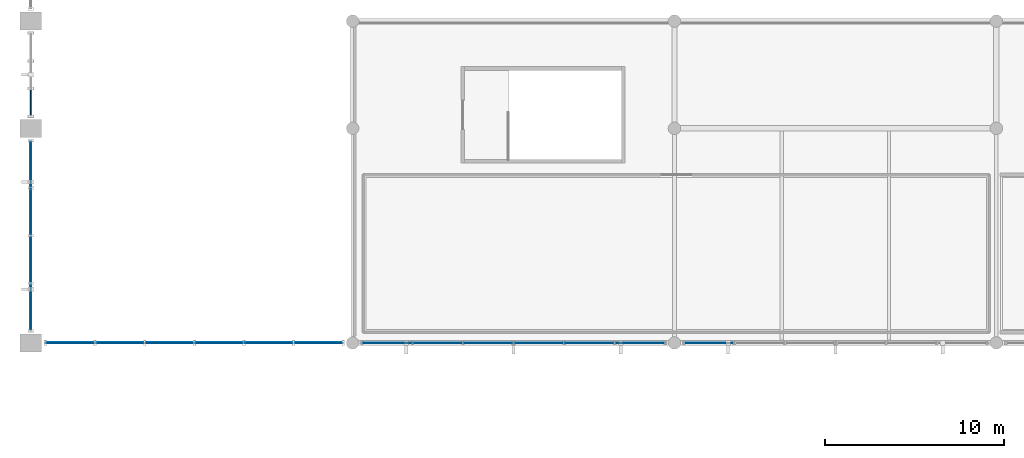
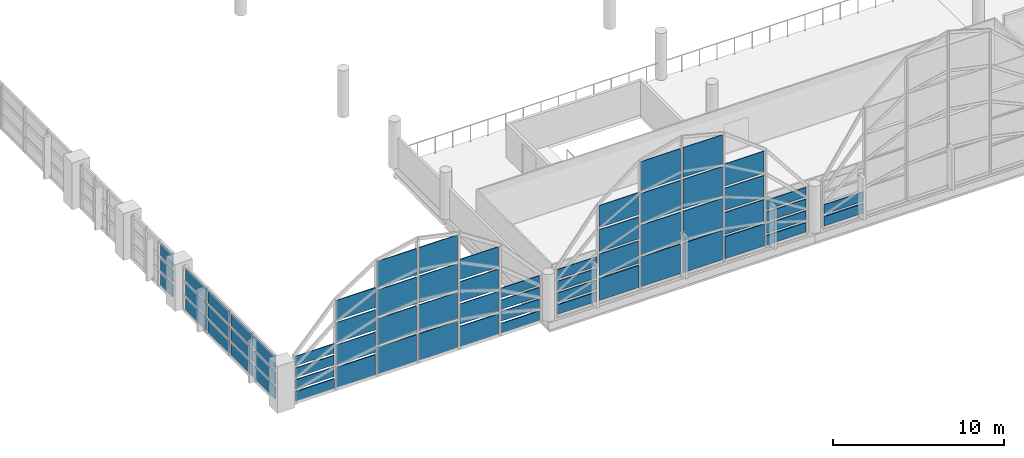
# One storey, part 83 of 116: 65 plates, 5 elements without a shape of their own.
"""IFC4 building model written with IfcOpenShell, lengths in metres."""

from ifc_helpers import new_model, si_unit, direction, frame, origin, origin_2d, place, context, subcontext, project, spatial, rectangle, extrude, material, layer, layer_set, type_object, element, aggregate, save


model = new_model("IFC4")

# Units and contexts
model_context = context("Model", 3, precision=1e-05, world=origin(), true_north=direction((0.0, 1.0)))
body_context = subcontext(model_context, "Body", "Model", "MODEL_VIEW")
ifc_project = project(units=[si_unit("LENGTHUNIT", "METRE"), si_unit("AREAUNIT", "SQUARE_METRE"), si_unit("VOLUMEUNIT", "CUBIC_METRE"), si_unit("PLANEANGLEUNIT", "RADIAN"), si_unit("MASSUNIT", "GRAM", prefix="KILO")], contexts=[model_context])

# Site, building, storey
site_placement = place(None, origin())
site = spatial("IfcSite", under=ifc_project, at=site_placement, CompositionType="ELEMENT")
building_placement = place(site_placement, origin())
building = spatial("IfcBuilding", under=site, at=building_placement, Name="Chuanluo Vaults Station", CompositionType="ELEMENT")
storey_placement = place(building_placement, frame((0.0, 0.0, 10.800048828125)))
storey = spatial("IfcBuildingStorey", under=building, at=storey_placement, Name="L02", CompositionType="ELEMENT", Elevation=10.800048828125)

# Curtain wall, plate
ifc_material_1 = material(Name="Anodised aluminium 6063-T6", Category="aluminium")
curtain_wall_type_1 = type_object("IfcCurtainWallType", Name="CW-SYS-01", PredefinedType="NOTDEFINED", material=ifc_material_1)
curtain_wall_1_placement = place(storey_placement, origin())
curtain_wall_1 = element("IfcCurtainWall", 1, at=curtain_wall_1_placement, inside=storey, type_object=curtain_wall_type_1, Name="Train shed west clerestory CW 30 part 1", PredefinedType="NOTDEFINED")
ifc_material_2 = material(Name="Ceramic-fritted spandrel glass", Category="glass")
ifc_layer_1 = layer(ifc_material_2, 0.06396484375)
ifc_layer_set_1 = layer_set([ifc_layer_1], Name="Ceramic-fritted spandrel glass")
plate_type_1 = type_object("IfcPlateType", Name="CWP-SPN-42", PredefinedType="SHEET", material=ifc_layer_set_1)
plate_1_placement = place(storey_placement, frame((0.0, 31.449951171875, 0.080078125), z_axis=(0.0, 0.0, 1.0), x_axis=(0.0, 1.0, 0.0)))
plate_1 = element("IfcPlate", 2, at=plate_1_placement, type_object=plate_type_1, Name="Train shed west clerestory CW 30 part 1 glazed panel 1.1", PredefinedType="SHEET", context=body_context, shape_type="SweptSolid", body=[
    extrude(rectangle(XDim=1.389892578125, YDim=0.06396484375, at=origin_2d()), origin(), (0.0, 0.0, 1.0), 0.889892578125),
])

# Curtain wall, plates
ifc_material_3 = material(Name="Anodised aluminium 6063-T6", Category="aluminium")
curtain_wall_type_2 = type_object("IfcCurtainWallType", Name="CW-SYS-02", PredefinedType="NOTDEFINED", material=ifc_material_3)
curtain_wall_2_placement = place(storey_placement, origin())
curtain_wall_2 = element("IfcCurtainWall", 3, at=curtain_wall_2_placement, inside=storey, type_object=curtain_wall_type_2, Name="Vault V1 south arched curtain wall", PredefinedType="NOTDEFINED")
ifc_material_4 = material(Name="Ceramic-fritted spandrel glass", Category="glass")
ifc_layer_2 = layer(ifc_material_4, 0.070068359375)
ifc_layer_set_2 = layer_set([ifc_layer_2], Name="Ceramic-fritted spandrel glass")
plate_type_2 = type_object("IfcPlateType", Name="CWP-SPN-50", PredefinedType="SHEET", material=ifc_layer_set_2)
plate_2_placement = place(storey_placement, frame((16.08740234375, 18.0, 0.080078125), z_axis=(0.0, 0.0, 1.0), x_axis=(-1.0, 0.0, 0.0)))
plate_2 = element("IfcPlate", 4, at=plate_2_placement, type_object=plate_type_2, Name="Vault V1 south arched curtain wall glazed panel 1.1", PredefinedType="SHEET", context=body_context, shape_type="SweptSolid", body=[
    extrude(rectangle(XDim=2.614990234375, YDim=0.070068359375, at=origin_2d()), origin(), (0.0, 0.0, 1.0), 0.677490234375),
])
plate_3_placement = place(storey_placement, frame((13.3125, 18.0, 0.080078125), z_axis=(0.0, 0.0, 1.0), x_axis=(-1.0, 0.0, 0.0)))
plate_3 = element("IfcPlate", 5, at=plate_3_placement, type_object=plate_type_2, Name="Vault V1 south arched curtain wall glazed panel 2.1", PredefinedType="SHEET", context=body_context, shape_type="SweptSolid", body=[
    extrude(rectangle(XDim=2.614990234375, YDim=0.070068359375, at=origin_2d()), origin(), (0.0, 0.0, 1.0), 1.4345703125),
])
plate_4_placement = place(storey_placement, frame((10.53759765625, 18.0, 0.079833984375), z_axis=(0.0, 0.0, 1.0), x_axis=(-1.0, 0.0, 0.0)))
plate_4 = element("IfcPlate", 6, at=plate_4_placement, type_object=plate_type_2, Name="Vault V1 south arched curtain wall glazed panel 3.1", PredefinedType="SHEET", context=body_context, shape_type="SweptSolid", body=[
    extrude(rectangle(XDim=2.614990234375, YDim=0.070068359375, at=origin_2d()), origin(), (0.0, 0.0, 1.0), 1.888671875),
])
plate_5_placement = place(storey_placement, frame((7.762451171875, 18.0, 0.079833984375), z_axis=(0.0, 0.0, 1.0), x_axis=(-1.0, 0.0, 0.0)))
plate_5 = element("IfcPlate", 7, at=plate_5_placement, type_object=plate_type_2, Name="Vault V1 south arched curtain wall glazed panel 4.1", PredefinedType="SHEET", context=body_context, shape_type="SweptSolid", body=[
    extrude(rectangle(XDim=2.614990234375, YDim=0.070068359375, at=origin_2d()), origin(), (0.0, 0.0, 1.0), 1.888671875),
])
plate_6_placement = place(storey_placement, frame((4.987548828125, 18.0, 0.080078125), z_axis=(0.0, 0.0, 1.0), x_axis=(-1.0, 0.0, 0.0)))
plate_6 = element("IfcPlate", 8, at=plate_6_placement, type_object=plate_type_2, Name="Vault V1 south arched curtain wall glazed panel 5.1", PredefinedType="SHEET", context=body_context, shape_type="SweptSolid", body=[
    extrude(rectangle(XDim=2.614990234375, YDim=0.070068359375, at=origin_2d()), origin(), (0.0, 0.0, 1.0), 1.4345703125),
])
plate_7_placement = place(storey_placement, frame((2.21240234375, 18.0, 0.080078125), z_axis=(0.0, 0.0, 1.0), x_axis=(-1.0, 0.0, 0.0)))
plate_7 = element("IfcPlate", 9, at=plate_7_placement, type_object=plate_type_2, Name="Vault V1 south arched curtain wall glazed panel 6.1", PredefinedType="SHEET", context=body_context, shape_type="SweptSolid", body=[
    extrude(rectangle(XDim=2.614990234375, YDim=0.070068359375, at=origin_2d()), origin(), (0.0, 0.0, 1.0), 0.677490234375),
])

ifc_material_5 = material(Name="Anodised aluminium 6063-T6", Category="aluminium")
curtain_wall_type_3 = type_object("IfcCurtainWallType", Name="CW-SYS-04", PredefinedType="NOTDEFINED", material=ifc_material_5)
curtain_wall_3_placement = place(storey_placement, origin())
curtain_wall_3 = element("IfcCurtainWall", 10, at=curtain_wall_3_placement, inside=storey, type_object=curtain_wall_type_3, Name="Vault V2 south arched curtain wall", PredefinedType="NOTDEFINED")
plate_8_placement = place(storey_placement, frame((34.0625, 18.0, 0.080078125), z_axis=(0.0, 0.0, 1.0), x_axis=(-1.0, 0.0, 0.0)))
plate_8 = element("IfcPlate", 11, at=plate_8_placement, type_object=plate_type_2, Name="Vault V2 south arched curtain wall glazed panel 1.1", PredefinedType="SHEET", context=body_context, shape_type="SweptSolid", body=[
    extrude(rectangle(XDim=2.6650390625, YDim=0.070068359375, at=origin_2d()), origin(), (0.0, 0.0, 1.0), 0.677490234375),
])
plate_9_placement = place(storey_placement, frame((31.237548828125, 18.0, 0.080078125), z_axis=(0.0, 0.0, 1.0), x_axis=(-1.0, 0.0, 0.0)))
plate_9 = element("IfcPlate", 12, at=plate_9_placement, type_object=plate_type_2, Name="Vault V2 south arched curtain wall glazed panel 2.1", PredefinedType="SHEET", context=body_context, shape_type="SweptSolid", body=[
    extrude(rectangle(XDim=2.6650390625, YDim=0.070068359375, at=origin_2d()), origin(), (0.0, 0.0, 1.0), 1.5732421875),
])
plate_10_placement = place(storey_placement, frame((28.41259765625, 18.0, 0.079833984375), z_axis=(0.0, 0.0, 1.0), x_axis=(-1.0, 0.0, 0.0)))
plate_10 = element("IfcPlate", 13, at=plate_10_placement, type_object=plate_type_2, Name="Vault V2 south arched curtain wall glazed panel 3.1", PredefinedType="SHEET", context=body_context, shape_type="SweptSolid", body=[
    extrude(rectangle(XDim=2.6650390625, YDim=0.070068359375, at=origin_2d()), origin(), (0.0, 0.0, 1.0), 2.11083984375),
])
plate_11_placement = place(storey_placement, frame((25.58740234375, 18.0, 0.079833984375), z_axis=(0.0, 0.0, 1.0), x_axis=(-1.0, 0.0, 0.0)))
plate_11 = element("IfcPlate", 14, at=plate_11_placement, type_object=plate_type_2, Name="Vault V2 south arched curtain wall glazed panel 4.1", PredefinedType="SHEET", context=body_context, shape_type="SweptSolid", body=[
    extrude(rectangle(XDim=2.6650390625, YDim=0.070068359375, at=origin_2d()), origin(), (0.0, 0.0, 1.0), 2.11083984375),
])
plate_12_placement = place(storey_placement, frame((22.762451171875, 18.0, 0.080078125), z_axis=(0.0, 0.0, 1.0), x_axis=(-1.0, 0.0, 0.0)))
plate_12 = element("IfcPlate", 15, at=plate_12_placement, type_object=plate_type_2, Name="Vault V2 south arched curtain wall glazed panel 5.1", PredefinedType="SHEET", context=body_context, shape_type="SweptSolid", body=[
    extrude(rectangle(XDim=2.6650390625, YDim=0.070068359375, at=origin_2d()), origin(), (0.0, 0.0, 1.0), 1.5732421875),
])
plate_13_placement = place(storey_placement, frame((19.9375, 18.0, 0.080078125), z_axis=(0.0, 0.0, 1.0), x_axis=(-1.0, 0.0, 0.0)))
plate_13 = element("IfcPlate", 16, at=plate_13_placement, type_object=plate_type_2, Name="Vault V2 south arched curtain wall glazed panel 6.1", PredefinedType="SHEET", context=body_context, shape_type="SweptSolid", body=[
    extrude(rectangle(XDim=2.6650390625, YDim=0.070068359375, at=origin_2d()), origin(), (0.0, 0.0, 1.0), 0.677490234375),
])

# Curtain wall, plate
ifc_material_6 = material(Name="Anodised aluminium 6063-T6", Category="aluminium")
curtain_wall_type_4 = type_object("IfcCurtainWallType", Name="CW-SYS-08", PredefinedType="NOTDEFINED", material=ifc_material_6)
curtain_wall_4_placement = place(storey_placement, origin())
curtain_wall_4 = element("IfcCurtainWall", 17, at=curtain_wall_4_placement, inside=storey, type_object=curtain_wall_type_4, Name="Vault V3 south arched curtain wall", PredefinedType="NOTDEFINED")
plate_14_placement = place(storey_placement, frame((37.9375, 18.0, 0.080078125), z_axis=(0.0, 0.0, 1.0), x_axis=(-1.0, 0.0, 0.0)))
plate_14 = element("IfcPlate", 18, at=plate_14_placement, type_object=plate_type_2, Name="Vault V3 south arched curtain wall glazed panel 6.1", PredefinedType="SHEET", context=body_context, shape_type="SweptSolid", body=[
    extrude(rectangle(XDim=2.6650390625, YDim=0.070068359375, at=origin_2d()), origin(), (0.0, 0.0, 1.0), 0.677490234375),
])

# Curtain wall, plates
ifc_material_7 = material(Name="Anodised aluminium 6063-T6", Category="aluminium")
curtain_wall_type_5 = type_object("IfcCurtainWallType", Name="CW-SYS-26", PredefinedType="NOTDEFINED", material=ifc_material_7)
curtain_wall_5_placement = place(storey_placement, origin())
curtain_wall_5 = element("IfcCurtainWall", 19, at=curtain_wall_5_placement, inside=storey, type_object=curtain_wall_type_5, Name="Train shed west clerestory CW 18", PredefinedType="NOTDEFINED")
plate_15_placement = place(storey_placement, frame((0.0, 20.00634765625, 0.080078125), z_axis=(0.0, 0.0, 1.0), x_axis=(0.0, 1.0, 0.0)))
plate_15 = element("IfcPlate", 20, at=plate_15_placement, type_object=plate_type_2, Name="Train shed west clerestory CW 18 glazed panel 1.1", PredefinedType="SHEET", context=body_context, shape_type="SweptSolid", body=[
    extrude(rectangle(XDim=2.50244140625, YDim=0.070068359375, at=origin_2d()), origin(), (0.0, 0.0, 1.0), 0.889892578125),
])
plate_16_placement = place(storey_placement, frame((0.0, 22.668701171875, 0.080078125), z_axis=(0.0, 0.0, 1.0), x_axis=(0.0, 1.0, 0.0)))
plate_16 = element("IfcPlate", 21, at=plate_16_placement, type_object=plate_type_2, Name="Train shed west clerestory CW 18 glazed panel 2.1", PredefinedType="SHEET", context=body_context, shape_type="SweptSolid", body=[
    extrude(rectangle(XDim=2.50244140625, YDim=0.070068359375, at=origin_2d()), origin(), (0.0, 0.0, 1.0), 0.889892578125),
])
plate_17_placement = place(storey_placement, frame((0.0, 25.331298828125, 0.080078125), z_axis=(0.0, 0.0, 1.0), x_axis=(0.0, 1.0, 0.0)))
plate_17 = element("IfcPlate", 22, at=plate_17_placement, type_object=plate_type_2, Name="Train shed west clerestory CW 18 glazed panel 3.1", PredefinedType="SHEET", context=body_context, shape_type="SweptSolid", body=[
    extrude(rectangle(XDim=2.50244140625, YDim=0.070068359375, at=origin_2d()), origin(), (0.0, 0.0, 1.0), 0.889892578125),
])
plate_18_placement = place(storey_placement, frame((0.0, 27.99365234375, 0.080078125), z_axis=(0.0, 0.0, 1.0), x_axis=(0.0, 1.0, 0.0)))
plate_18 = element("IfcPlate", 23, at=plate_18_placement, type_object=plate_type_2, Name="Train shed west clerestory CW 18 glazed panel 4.1", PredefinedType="SHEET", context=body_context, shape_type="SweptSolid", body=[
    extrude(rectangle(XDim=2.50244140625, YDim=0.070068359375, at=origin_2d()), origin(), (0.0, 0.0, 1.0), 0.889892578125),
])

# Plate
ifc_material_8 = material(Name="Double-silver Low-E laminated glass", Category="glass")
ifc_layer_3 = layer(ifc_material_8, 0.0439453125)
ifc_layer_set_3 = layer_set([ifc_layer_3], Name="Double-silver Low-E laminated glass")
plate_type_3 = type_object("IfcPlateType", Name="CWP-VIS-28", PredefinedType="CURTAIN_PANEL", material=ifc_layer_set_3)
plate_19_placement = place(storey_placement, frame((34.0625, 18.0, 0.91748046875), z_axis=(0.0, 0.0, 1.0), x_axis=(-1.0, 0.0, 0.0)))
plate_19 = element("IfcPlate", 24, at=plate_19_placement, type_object=plate_type_3, Name="Vault V2 south arched curtain wall glazed panel 1.2", PredefinedType="CURTAIN_PANEL", context=body_context, shape_type="SweptSolid", body=[
    extrude(rectangle(XDim=2.6650390625, YDim=0.0439453125, at=origin_2d()), origin(), (0.0, 0.0, 1.0), 0.677490234375),
])

plate_20_placement = place(storey_placement, frame((34.0625, 18.0, 1.7548828125), z_axis=(0.0, 0.0, 1.0), x_axis=(-1.0, 0.0, 0.0)))
plate_20 = element("IfcPlate", 25, at=plate_20_placement, type_object=plate_type_3, Name="Vault V2 south arched curtain wall glazed panel 1.3", PredefinedType="CURTAIN_PANEL", context=body_context, shape_type="SweptSolid", body=[
    extrude(rectangle(XDim=2.6650390625, YDim=0.0439453125, at=origin_2d()), origin(), (0.0, 0.0, 1.0), 0.677490234375),
])

plate_21_placement = place(storey_placement, frame((34.0625, 18.0, 2.59228515625), z_axis=(0.0, 0.0, 1.0), x_axis=(-1.0, 0.0, 0.0)))
plate_21 = element("IfcPlate", 26, at=plate_21_placement, type_object=plate_type_3, Name="Vault V2 south arched curtain wall glazed panel 1.4", PredefinedType="CURTAIN_PANEL", context=body_context, shape_type="SweptSolid", body=[
    extrude(rectangle(XDim=2.6650390625, YDim=0.0439453125, at=origin_2d()), origin(), (0.0, 0.0, 1.0), 0.677490234375),
])

plate_22_placement = place(storey_placement, frame((31.237548828125, 18.0, 1.81298828125), z_axis=(0.0, 0.0, 1.0), x_axis=(-1.0, 0.0, 0.0)))
plate_22 = element("IfcPlate", 27, at=plate_22_placement, type_object=plate_type_3, Name="Vault V2 south arched curtain wall glazed panel 2.2", PredefinedType="CURTAIN_PANEL", context=body_context, shape_type="SweptSolid", body=[
    extrude(rectangle(XDim=2.6650390625, YDim=0.0439453125, at=origin_2d()), origin(), (0.0, 0.0, 1.0), 1.573486328125),
])

plate_23_placement = place(storey_placement, frame((31.237548828125, 18.0, 3.546630859375), z_axis=(0.0, 0.0, 1.0), x_axis=(-1.0, 0.0, 0.0)))
plate_23 = element("IfcPlate", 28, at=plate_23_placement, type_object=plate_type_3, Name="Vault V2 south arched curtain wall glazed panel 2.3", PredefinedType="CURTAIN_PANEL", context=body_context, shape_type="SweptSolid", body=[
    extrude(rectangle(XDim=2.6650390625, YDim=0.0439453125, at=origin_2d()), origin(), (0.0, 0.0, 1.0), 1.5732421875),
])

plate_24_placement = place(storey_placement, frame((31.237548828125, 18.0, 5.280029296875), z_axis=(0.0, 0.0, 1.0), x_axis=(-1.0, 0.0, 0.0)))
plate_24 = element("IfcPlate", 29, at=plate_24_placement, type_object=plate_type_3, Name="Vault V2 south arched curtain wall glazed panel 2.4", PredefinedType="CURTAIN_PANEL", context=body_context, shape_type="SweptSolid", body=[
    extrude(rectangle(XDim=2.6650390625, YDim=0.0439453125, at=origin_2d()), origin(), (0.0, 0.0, 1.0), 1.5732421875),
])

plate_25_placement = place(storey_placement, frame((28.41259765625, 18.0, 2.350830078125), z_axis=(0.0, 0.0, 1.0), x_axis=(-1.0, 0.0, 0.0)))
plate_25 = element("IfcPlate", 30, at=plate_25_placement, type_object=plate_type_3, Name="Vault V2 south arched curtain wall glazed panel 3.2", PredefinedType="CURTAIN_PANEL", context=body_context, shape_type="SweptSolid", body=[
    extrude(rectangle(XDim=2.6650390625, YDim=0.0439453125, at=origin_2d()), origin(), (0.0, 0.0, 1.0), 2.11083984375),
])

plate_26_placement = place(storey_placement, frame((28.41259765625, 18.0, 4.62158203125), z_axis=(0.0, 0.0, 1.0), x_axis=(-1.0, 0.0, 0.0)))
plate_26 = element("IfcPlate", 31, at=plate_26_placement, type_object=plate_type_3, Name="Vault V2 south arched curtain wall glazed panel 3.3", PredefinedType="CURTAIN_PANEL", context=body_context, shape_type="SweptSolid", body=[
    extrude(rectangle(XDim=2.6650390625, YDim=0.0439453125, at=origin_2d()), origin(), (0.0, 0.0, 1.0), 2.11083984375),
])

plate_27_placement = place(storey_placement, frame((28.41259765625, 18.0, 6.892333984375), z_axis=(0.0, 0.0, 1.0), x_axis=(-1.0, 0.0, 0.0)))
plate_27 = element("IfcPlate", 32, at=plate_27_placement, type_object=plate_type_3, Name="Vault V2 south arched curtain wall glazed panel 3.4", PredefinedType="CURTAIN_PANEL", context=body_context, shape_type="SweptSolid", body=[
    extrude(rectangle(XDim=2.6650390625, YDim=0.0439453125, at=origin_2d()), origin(), (0.0, 0.0, 1.0), 2.11083984375),
])

plate_28_placement = place(storey_placement, frame((25.58740234375, 18.0, 2.350830078125), z_axis=(0.0, 0.0, 1.0), x_axis=(-1.0, 0.0, 0.0)))
plate_28 = element("IfcPlate", 33, at=plate_28_placement, type_object=plate_type_3, Name="Vault V2 south arched curtain wall glazed panel 4.2", PredefinedType="CURTAIN_PANEL", context=body_context, shape_type="SweptSolid", body=[
    extrude(rectangle(XDim=2.6650390625, YDim=0.0439453125, at=origin_2d()), origin(), (0.0, 0.0, 1.0), 2.11083984375),
])

plate_29_placement = place(storey_placement, frame((25.58740234375, 18.0, 4.62158203125), z_axis=(0.0, 0.0, 1.0), x_axis=(-1.0, 0.0, 0.0)))
plate_29 = element("IfcPlate", 34, at=plate_29_placement, type_object=plate_type_3, Name="Vault V2 south arched curtain wall glazed panel 4.3", PredefinedType="CURTAIN_PANEL", context=body_context, shape_type="SweptSolid", body=[
    extrude(rectangle(XDim=2.6650390625, YDim=0.0439453125, at=origin_2d()), origin(), (0.0, 0.0, 1.0), 2.11083984375),
])

plate_30_placement = place(storey_placement, frame((25.58740234375, 18.0, 6.892333984375), z_axis=(0.0, 0.0, 1.0), x_axis=(-1.0, 0.0, 0.0)))
plate_30 = element("IfcPlate", 35, at=plate_30_placement, type_object=plate_type_3, Name="Vault V2 south arched curtain wall glazed panel 4.4", PredefinedType="CURTAIN_PANEL", context=body_context, shape_type="SweptSolid", body=[
    extrude(rectangle(XDim=2.6650390625, YDim=0.0439453125, at=origin_2d()), origin(), (0.0, 0.0, 1.0), 2.11083984375),
])

plate_31_placement = place(storey_placement, frame((22.762451171875, 18.0, 1.81298828125), z_axis=(0.0, 0.0, 1.0), x_axis=(-1.0, 0.0, 0.0)))
plate_31 = element("IfcPlate", 36, at=plate_31_placement, type_object=plate_type_3, Name="Vault V2 south arched curtain wall glazed panel 5.2", PredefinedType="CURTAIN_PANEL", context=body_context, shape_type="SweptSolid", body=[
    extrude(rectangle(XDim=2.6650390625, YDim=0.0439453125, at=origin_2d()), origin(), (0.0, 0.0, 1.0), 1.573486328125),
])

plate_32_placement = place(storey_placement, frame((22.762451171875, 18.0, 3.546630859375), z_axis=(0.0, 0.0, 1.0), x_axis=(-1.0, 0.0, 0.0)))
plate_32 = element("IfcPlate", 37, at=plate_32_placement, type_object=plate_type_3, Name="Vault V2 south arched curtain wall glazed panel 5.3", PredefinedType="CURTAIN_PANEL", context=body_context, shape_type="SweptSolid", body=[
    extrude(rectangle(XDim=2.6650390625, YDim=0.0439453125, at=origin_2d()), origin(), (0.0, 0.0, 1.0), 1.5732421875),
])

plate_33_placement = place(storey_placement, frame((22.762451171875, 18.0, 5.280029296875), z_axis=(0.0, 0.0, 1.0), x_axis=(-1.0, 0.0, 0.0)))
plate_33 = element("IfcPlate", 38, at=plate_33_placement, type_object=plate_type_3, Name="Vault V2 south arched curtain wall glazed panel 5.4", PredefinedType="CURTAIN_PANEL", context=body_context, shape_type="SweptSolid", body=[
    extrude(rectangle(XDim=2.6650390625, YDim=0.0439453125, at=origin_2d()), origin(), (0.0, 0.0, 1.0), 1.5732421875),
])

plate_34_placement = place(storey_placement, frame((19.9375, 18.0, 0.91748046875), z_axis=(0.0, 0.0, 1.0), x_axis=(-1.0, 0.0, 0.0)))
plate_34 = element("IfcPlate", 39, at=plate_34_placement, type_object=plate_type_3, Name="Vault V2 south arched curtain wall glazed panel 6.2", PredefinedType="CURTAIN_PANEL", context=body_context, shape_type="SweptSolid", body=[
    extrude(rectangle(XDim=2.6650390625, YDim=0.0439453125, at=origin_2d()), origin(), (0.0, 0.0, 1.0), 0.677490234375),
])

plate_35_placement = place(storey_placement, frame((19.9375, 18.0, 1.7548828125), z_axis=(0.0, 0.0, 1.0), x_axis=(-1.0, 0.0, 0.0)))
plate_35 = element("IfcPlate", 40, at=plate_35_placement, type_object=plate_type_3, Name="Vault V2 south arched curtain wall glazed panel 6.3", PredefinedType="CURTAIN_PANEL", context=body_context, shape_type="SweptSolid", body=[
    extrude(rectangle(XDim=2.6650390625, YDim=0.0439453125, at=origin_2d()), origin(), (0.0, 0.0, 1.0), 0.677490234375),
])

plate_36_placement = place(storey_placement, frame((19.9375, 18.0, 2.59228515625), z_axis=(0.0, 0.0, 1.0), x_axis=(-1.0, 0.0, 0.0)))
plate_36 = element("IfcPlate", 41, at=plate_36_placement, type_object=plate_type_3, Name="Vault V2 south arched curtain wall glazed panel 6.4", PredefinedType="CURTAIN_PANEL", context=body_context, shape_type="SweptSolid", body=[
    extrude(rectangle(XDim=2.6650390625, YDim=0.0439453125, at=origin_2d()), origin(), (0.0, 0.0, 1.0), 0.677490234375),
])

aggregate(curtain_wall_3, [plate_8, plate_19, plate_20, plate_21, plate_9, plate_22, plate_23, plate_24, plate_10, plate_25, plate_26, plate_27, plate_11, plate_28, plate_29, plate_30, plate_12, plate_31, plate_32, plate_33, plate_13, plate_34, plate_35, plate_36])

plate_37_placement = place(storey_placement, frame((37.9375, 18.0, 0.91748046875), z_axis=(0.0, 0.0, 1.0), x_axis=(-1.0, 0.0, 0.0)))
plate_37 = element("IfcPlate", 42, at=plate_37_placement, type_object=plate_type_3, Name="Vault V3 south arched curtain wall glazed panel 6.2", PredefinedType="CURTAIN_PANEL", context=body_context, shape_type="SweptSolid", body=[
    extrude(rectangle(XDim=2.6650390625, YDim=0.0439453125, at=origin_2d()), origin(), (0.0, 0.0, 1.0), 0.677490234375),
])

aggregate(curtain_wall_4, [plate_14, plate_37])

ifc_material_9 = material(Name="Double-silver Low-E laminated glass", Category="glass")
ifc_layer_4 = layer(ifc_material_9, 0.053955078125)
ifc_layer_set_4 = layer_set([ifc_layer_4], Name="Double-silver Low-E laminated glass")
plate_type_4 = type_object("IfcPlateType", Name="CWP-VIS-36", PredefinedType="CURTAIN_PANEL", material=ifc_layer_set_4)
plate_38_placement = place(storey_placement, frame((16.08740234375, 18.0, 0.91748046875), z_axis=(0.0, 0.0, 1.0), x_axis=(-1.0, 0.0, 0.0)))
plate_38 = element("IfcPlate", 43, at=plate_38_placement, type_object=plate_type_4, Name="Vault V1 south arched curtain wall glazed panel 1.2", PredefinedType="CURTAIN_PANEL", context=body_context, shape_type="SweptSolid", body=[
    extrude(rectangle(XDim=2.614990234375, YDim=0.053955078125, at=origin_2d()), origin(), (0.0, 0.0, 1.0), 0.677490234375),
])

plate_39_placement = place(storey_placement, frame((16.08740234375, 18.0, 1.7548828125), z_axis=(0.0, 0.0, 1.0), x_axis=(-1.0, 0.0, 0.0)))
plate_39 = element("IfcPlate", 44, at=plate_39_placement, type_object=plate_type_4, Name="Vault V1 south arched curtain wall glazed panel 1.3", PredefinedType="CURTAIN_PANEL", context=body_context, shape_type="SweptSolid", body=[
    extrude(rectangle(XDim=2.614990234375, YDim=0.053955078125, at=origin_2d()), origin(), (0.0, 0.0, 1.0), 0.677490234375),
])

plate_40_placement = place(storey_placement, frame((16.08740234375, 18.0, 2.59228515625), z_axis=(0.0, 0.0, 1.0), x_axis=(-1.0, 0.0, 0.0)))
plate_40 = element("IfcPlate", 45, at=plate_40_placement, type_object=plate_type_4, Name="Vault V1 south arched curtain wall glazed panel 1.4", PredefinedType="CURTAIN_PANEL", context=body_context, shape_type="SweptSolid", body=[
    extrude(rectangle(XDim=2.614990234375, YDim=0.053955078125, at=origin_2d()), origin(), (0.0, 0.0, 1.0), 0.677490234375),
])

plate_41_placement = place(storey_placement, frame((13.3125, 18.0, 1.67431640625), z_axis=(0.0, 0.0, 1.0), x_axis=(-1.0, 0.0, 0.0)))
plate_41 = element("IfcPlate", 46, at=plate_41_placement, type_object=plate_type_4, Name="Vault V1 south arched curtain wall glazed panel 2.2", PredefinedType="CURTAIN_PANEL", context=body_context, shape_type="SweptSolid", body=[
    extrude(rectangle(XDim=2.614990234375, YDim=0.053955078125, at=origin_2d()), origin(), (0.0, 0.0, 1.0), 1.434326171875),
])

plate_42_placement = place(storey_placement, frame((13.3125, 18.0, 3.268798828125), z_axis=(0.0, 0.0, 1.0), x_axis=(-1.0, 0.0, 0.0)))
plate_42 = element("IfcPlate", 47, at=plate_42_placement, type_object=plate_type_4, Name="Vault V1 south arched curtain wall glazed panel 2.3", PredefinedType="CURTAIN_PANEL", context=body_context, shape_type="SweptSolid", body=[
    extrude(rectangle(XDim=2.614990234375, YDim=0.053955078125, at=origin_2d()), origin(), (0.0, 0.0, 1.0), 1.4345703125),
])

plate_43_placement = place(storey_placement, frame((13.3125, 18.0, 4.86328125), z_axis=(0.0, 0.0, 1.0), x_axis=(-1.0, 0.0, 0.0)))
plate_43 = element("IfcPlate", 48, at=plate_43_placement, type_object=plate_type_4, Name="Vault V1 south arched curtain wall glazed panel 2.4", PredefinedType="CURTAIN_PANEL", context=body_context, shape_type="SweptSolid", body=[
    extrude(rectangle(XDim=2.614990234375, YDim=0.053955078125, at=origin_2d()), origin(), (0.0, 0.0, 1.0), 1.434326171875),
])

plate_44_placement = place(storey_placement, frame((10.53759765625, 18.0, 2.12841796875), z_axis=(0.0, 0.0, 1.0), x_axis=(-1.0, 0.0, 0.0)))
plate_44 = element("IfcPlate", 49, at=plate_44_placement, type_object=plate_type_4, Name="Vault V1 south arched curtain wall glazed panel 3.2", PredefinedType="CURTAIN_PANEL", context=body_context, shape_type="SweptSolid", body=[
    extrude(rectangle(XDim=2.614990234375, YDim=0.053955078125, at=origin_2d()), origin(), (0.0, 0.0, 1.0), 1.888671875),
])

plate_45_placement = place(storey_placement, frame((10.53759765625, 18.0, 4.177001953125), z_axis=(0.0, 0.0, 1.0), x_axis=(-1.0, 0.0, 0.0)))
plate_45 = element("IfcPlate", 50, at=plate_45_placement, type_object=plate_type_4, Name="Vault V1 south arched curtain wall glazed panel 3.3", PredefinedType="CURTAIN_PANEL", context=body_context, shape_type="SweptSolid", body=[
    extrude(rectangle(XDim=2.614990234375, YDim=0.053955078125, at=origin_2d()), origin(), (0.0, 0.0, 1.0), 1.888671875),
])

plate_46_placement = place(storey_placement, frame((10.53759765625, 18.0, 6.225830078125), z_axis=(0.0, 0.0, 1.0), x_axis=(-1.0, 0.0, 0.0)))
plate_46 = element("IfcPlate", 51, at=plate_46_placement, type_object=plate_type_4, Name="Vault V1 south arched curtain wall glazed panel 3.4", PredefinedType="CURTAIN_PANEL", context=body_context, shape_type="SweptSolid", body=[
    extrude(rectangle(XDim=2.614990234375, YDim=0.053955078125, at=origin_2d()), origin(), (0.0, 0.0, 1.0), 1.888671875),
])

plate_47_placement = place(storey_placement, frame((7.762451171875, 18.0, 2.12841796875), z_axis=(0.0, 0.0, 1.0), x_axis=(-1.0, 0.0, 0.0)))
plate_47 = element("IfcPlate", 52, at=plate_47_placement, type_object=plate_type_4, Name="Vault V1 south arched curtain wall glazed panel 4.2", PredefinedType="CURTAIN_PANEL", context=body_context, shape_type="SweptSolid", body=[
    extrude(rectangle(XDim=2.614990234375, YDim=0.053955078125, at=origin_2d()), origin(), (0.0, 0.0, 1.0), 1.888671875),
])

plate_48_placement = place(storey_placement, frame((7.762451171875, 18.0, 4.177001953125), z_axis=(0.0, 0.0, 1.0), x_axis=(-1.0, 0.0, 0.0)))
plate_48 = element("IfcPlate", 53, at=plate_48_placement, type_object=plate_type_4, Name="Vault V1 south arched curtain wall glazed panel 4.3", PredefinedType="CURTAIN_PANEL", context=body_context, shape_type="SweptSolid", body=[
    extrude(rectangle(XDim=2.614990234375, YDim=0.053955078125, at=origin_2d()), origin(), (0.0, 0.0, 1.0), 1.888671875),
])

plate_49_placement = place(storey_placement, frame((7.762451171875, 18.0, 6.225830078125), z_axis=(0.0, 0.0, 1.0), x_axis=(-1.0, 0.0, 0.0)))
plate_49 = element("IfcPlate", 54, at=plate_49_placement, type_object=plate_type_4, Name="Vault V1 south arched curtain wall glazed panel 4.4", PredefinedType="CURTAIN_PANEL", context=body_context, shape_type="SweptSolid", body=[
    extrude(rectangle(XDim=2.614990234375, YDim=0.053955078125, at=origin_2d()), origin(), (0.0, 0.0, 1.0), 1.888671875),
])

plate_50_placement = place(storey_placement, frame((4.987548828125, 18.0, 1.67431640625), z_axis=(0.0, 0.0, 1.0), x_axis=(-1.0, 0.0, 0.0)))
plate_50 = element("IfcPlate", 55, at=plate_50_placement, type_object=plate_type_4, Name="Vault V1 south arched curtain wall glazed panel 5.2", PredefinedType="CURTAIN_PANEL", context=body_context, shape_type="SweptSolid", body=[
    extrude(rectangle(XDim=2.614990234375, YDim=0.053955078125, at=origin_2d()), origin(), (0.0, 0.0, 1.0), 1.434326171875),
])

plate_51_placement = place(storey_placement, frame((4.987548828125, 18.0, 3.268798828125), z_axis=(0.0, 0.0, 1.0), x_axis=(-1.0, 0.0, 0.0)))
plate_51 = element("IfcPlate", 56, at=plate_51_placement, type_object=plate_type_4, Name="Vault V1 south arched curtain wall glazed panel 5.3", PredefinedType="CURTAIN_PANEL", context=body_context, shape_type="SweptSolid", body=[
    extrude(rectangle(XDim=2.614990234375, YDim=0.053955078125, at=origin_2d()), origin(), (0.0, 0.0, 1.0), 1.4345703125),
])

plate_52_placement = place(storey_placement, frame((4.987548828125, 18.0, 4.86328125), z_axis=(0.0, 0.0, 1.0), x_axis=(-1.0, 0.0, 0.0)))
plate_52 = element("IfcPlate", 57, at=plate_52_placement, type_object=plate_type_4, Name="Vault V1 south arched curtain wall glazed panel 5.4", PredefinedType="CURTAIN_PANEL", context=body_context, shape_type="SweptSolid", body=[
    extrude(rectangle(XDim=2.614990234375, YDim=0.053955078125, at=origin_2d()), origin(), (0.0, 0.0, 1.0), 1.434326171875),
])

plate_53_placement = place(storey_placement, frame((2.21240234375, 18.0, 0.91748046875), z_axis=(0.0, 0.0, 1.0), x_axis=(-1.0, 0.0, 0.0)))
plate_53 = element("IfcPlate", 58, at=plate_53_placement, type_object=plate_type_4, Name="Vault V1 south arched curtain wall glazed panel 6.2", PredefinedType="CURTAIN_PANEL", context=body_context, shape_type="SweptSolid", body=[
    extrude(rectangle(XDim=2.614990234375, YDim=0.053955078125, at=origin_2d()), origin(), (0.0, 0.0, 1.0), 0.677490234375),
])

plate_54_placement = place(storey_placement, frame((2.21240234375, 18.0, 1.7548828125), z_axis=(0.0, 0.0, 1.0), x_axis=(-1.0, 0.0, 0.0)))
plate_54 = element("IfcPlate", 59, at=plate_54_placement, type_object=plate_type_4, Name="Vault V1 south arched curtain wall glazed panel 6.3", PredefinedType="CURTAIN_PANEL", context=body_context, shape_type="SweptSolid", body=[
    extrude(rectangle(XDim=2.614990234375, YDim=0.053955078125, at=origin_2d()), origin(), (0.0, 0.0, 1.0), 0.677490234375),
])

plate_55_placement = place(storey_placement, frame((2.21240234375, 18.0, 2.59228515625), z_axis=(0.0, 0.0, 1.0), x_axis=(-1.0, 0.0, 0.0)))
plate_55 = element("IfcPlate", 60, at=plate_55_placement, type_object=plate_type_4, Name="Vault V1 south arched curtain wall glazed panel 6.4", PredefinedType="CURTAIN_PANEL", context=body_context, shape_type="SweptSolid", body=[
    extrude(rectangle(XDim=2.614990234375, YDim=0.053955078125, at=origin_2d()), origin(), (0.0, 0.0, 1.0), 0.677490234375),
])

aggregate(curtain_wall_2, [plate_2, plate_38, plate_39, plate_40, plate_3, plate_41, plate_42, plate_43, plate_4, plate_44, plate_45, plate_46, plate_5, plate_47, plate_48, plate_49, plate_6, plate_50, plate_51, plate_52, plate_7, plate_53, plate_54, plate_55])

plate_56_placement = place(storey_placement, frame((0.0, 20.00634765625, 1.1298828125), z_axis=(0.0, 0.0, 1.0), x_axis=(0.0, 1.0, 0.0)))
plate_56 = element("IfcPlate", 61, at=plate_56_placement, type_object=plate_type_4, Name="Train shed west clerestory CW 18 glazed panel 1.2", PredefinedType="CURTAIN_PANEL", context=body_context, shape_type="SweptSolid", body=[
    extrude(rectangle(XDim=2.50244140625, YDim=0.053955078125, at=origin_2d()), origin(), (0.0, 0.0, 1.0), 0.889892578125),
])

plate_57_placement = place(storey_placement, frame((0.0, 20.00634765625, 2.18017578125), z_axis=(0.0, 0.0, 1.0), x_axis=(0.0, 1.0, 0.0)))
plate_57 = element("IfcPlate", 62, at=plate_57_placement, type_object=plate_type_4, Name="Train shed west clerestory CW 18 glazed panel 1.3", PredefinedType="CURTAIN_PANEL", context=body_context, shape_type="SweptSolid", body=[
    extrude(rectangle(XDim=2.50244140625, YDim=0.053955078125, at=origin_2d()), origin(), (0.0, 0.0, 1.0), 0.889892578125),
])

plate_58_placement = place(storey_placement, frame((0.0, 22.668701171875, 1.1298828125), z_axis=(0.0, 0.0, 1.0), x_axis=(0.0, 1.0, 0.0)))
plate_58 = element("IfcPlate", 63, at=plate_58_placement, type_object=plate_type_4, Name="Train shed west clerestory CW 18 glazed panel 2.2", PredefinedType="CURTAIN_PANEL", context=body_context, shape_type="SweptSolid", body=[
    extrude(rectangle(XDim=2.50244140625, YDim=0.053955078125, at=origin_2d()), origin(), (0.0, 0.0, 1.0), 0.889892578125),
])

plate_59_placement = place(storey_placement, frame((0.0, 22.668701171875, 2.18017578125), z_axis=(0.0, 0.0, 1.0), x_axis=(0.0, 1.0, 0.0)))
plate_59 = element("IfcPlate", 64, at=plate_59_placement, type_object=plate_type_4, Name="Train shed west clerestory CW 18 glazed panel 2.3", PredefinedType="CURTAIN_PANEL", context=body_context, shape_type="SweptSolid", body=[
    extrude(rectangle(XDim=2.50244140625, YDim=0.053955078125, at=origin_2d()), origin(), (0.0, 0.0, 1.0), 0.889892578125),
])

plate_60_placement = place(storey_placement, frame((0.0, 25.331298828125, 1.1298828125), z_axis=(0.0, 0.0, 1.0), x_axis=(0.0, 1.0, 0.0)))
plate_60 = element("IfcPlate", 65, at=plate_60_placement, type_object=plate_type_4, Name="Train shed west clerestory CW 18 glazed panel 3.2", PredefinedType="CURTAIN_PANEL", context=body_context, shape_type="SweptSolid", body=[
    extrude(rectangle(XDim=2.50244140625, YDim=0.053955078125, at=origin_2d()), origin(), (0.0, 0.0, 1.0), 0.889892578125),
])

plate_61_placement = place(storey_placement, frame((0.0, 25.331298828125, 2.18017578125), z_axis=(0.0, 0.0, 1.0), x_axis=(0.0, 1.0, 0.0)))
plate_61 = element("IfcPlate", 66, at=plate_61_placement, type_object=plate_type_4, Name="Train shed west clerestory CW 18 glazed panel 3.3", PredefinedType="CURTAIN_PANEL", context=body_context, shape_type="SweptSolid", body=[
    extrude(rectangle(XDim=2.50244140625, YDim=0.053955078125, at=origin_2d()), origin(), (0.0, 0.0, 1.0), 0.889892578125),
])

plate_62_placement = place(storey_placement, frame((0.0, 27.99365234375, 1.1298828125), z_axis=(0.0, 0.0, 1.0), x_axis=(0.0, 1.0, 0.0)))
plate_62 = element("IfcPlate", 67, at=plate_62_placement, type_object=plate_type_4, Name="Train shed west clerestory CW 18 glazed panel 4.2", PredefinedType="CURTAIN_PANEL", context=body_context, shape_type="SweptSolid", body=[
    extrude(rectangle(XDim=2.50244140625, YDim=0.053955078125, at=origin_2d()), origin(), (0.0, 0.0, 1.0), 0.889892578125),
])

plate_63_placement = place(storey_placement, frame((0.0, 27.99365234375, 2.18017578125), z_axis=(0.0, 0.0, 1.0), x_axis=(0.0, 1.0, 0.0)))
plate_63 = element("IfcPlate", 68, at=plate_63_placement, type_object=plate_type_4, Name="Train shed west clerestory CW 18 glazed panel 4.3", PredefinedType="CURTAIN_PANEL", context=body_context, shape_type="SweptSolid", body=[
    extrude(rectangle(XDim=2.50244140625, YDim=0.053955078125, at=origin_2d()), origin(), (0.0, 0.0, 1.0), 0.889892578125),
])

aggregate(curtain_wall_5, [plate_15, plate_56, plate_57, plate_16, plate_58, plate_59, plate_17, plate_60, plate_61, plate_18, plate_62, plate_63])

ifc_material_10 = material(Name="Double-silver Low-E laminated glass", Category="glass")
ifc_layer_5 = layer(ifc_material_10, 0.05810546875)
ifc_layer_set_5 = layer_set([ifc_layer_5], Name="Double-silver Low-E laminated glass")
plate_type_5 = type_object("IfcPlateType", Name="CWP-VIS-38", PredefinedType="CURTAIN_PANEL", material=ifc_layer_set_5)
plate_64_placement = place(storey_placement, frame((0.0, 31.449951171875, 1.1298828125), z_axis=(0.0, 0.0, 1.0), x_axis=(0.0, 1.0, 0.0)))
plate_64 = element("IfcPlate", 69, at=plate_64_placement, type_object=plate_type_5, Name="Train shed west clerestory CW 30 part 1 glazed panel 1.2", PredefinedType="CURTAIN_PANEL", context=body_context, shape_type="SweptSolid", body=[
    extrude(rectangle(XDim=1.389892578125, YDim=0.05810546875, at=origin_2d()), origin(), (0.0, 0.0, 1.0), 0.889892578125),
])

plate_65_placement = place(storey_placement, frame((0.0, 31.449951171875, 2.18017578125), z_axis=(0.0, 0.0, 1.0), x_axis=(0.0, 1.0, 0.0)))
plate_65 = element("IfcPlate", 70, at=plate_65_placement, type_object=plate_type_5, Name="Train shed west clerestory CW 30 part 1 glazed panel 1.3", PredefinedType="CURTAIN_PANEL", context=body_context, shape_type="SweptSolid", body=[
    extrude(rectangle(XDim=1.389892578125, YDim=0.05810546875, at=origin_2d()), origin(), (0.0, 0.0, 1.0), 0.889892578125),
])

aggregate(curtain_wall_1, [plate_1, plate_64, plate_65])

save(model, "model.ifc")
